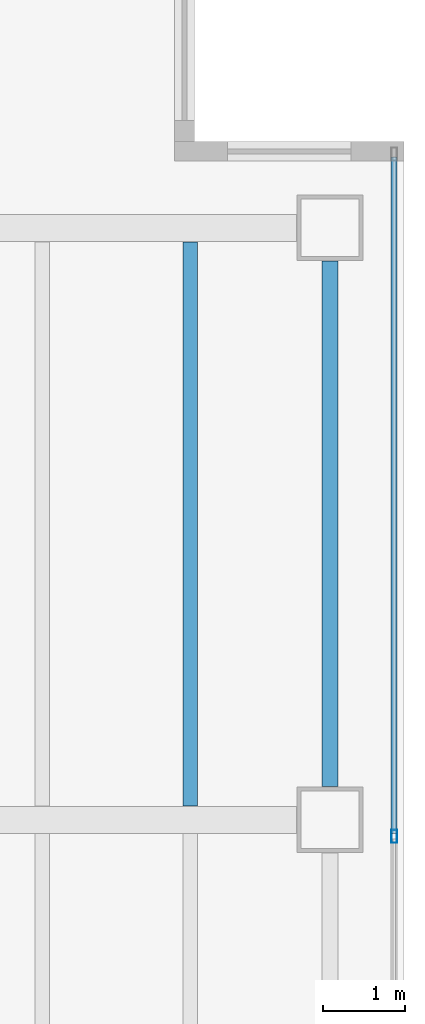
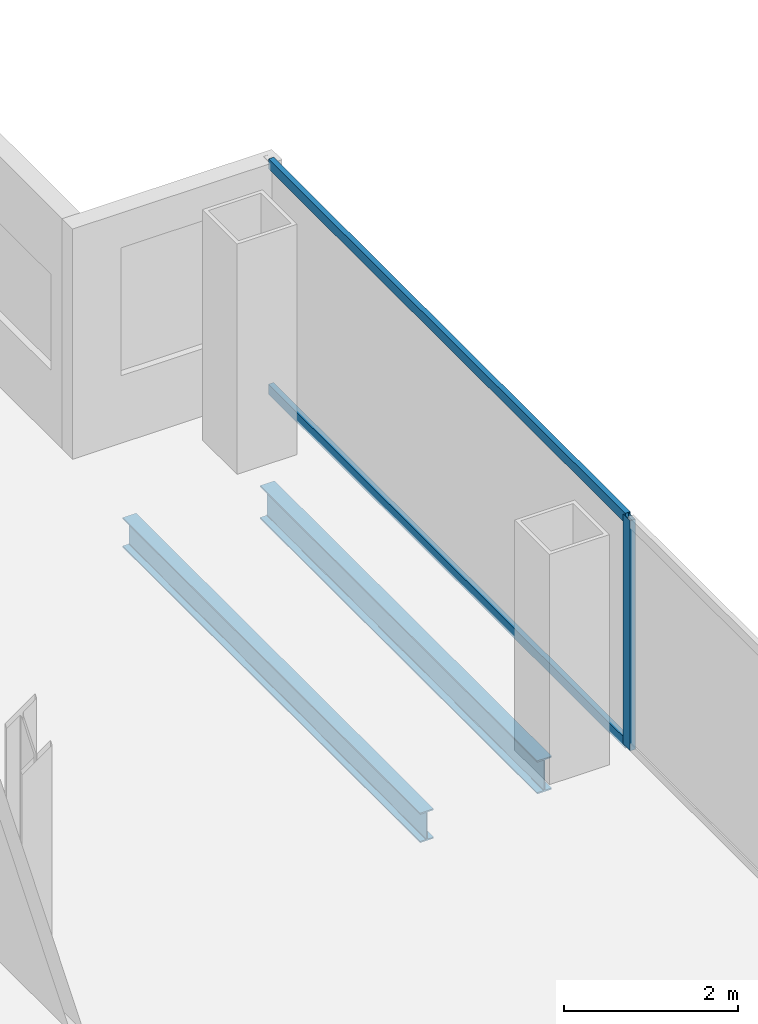
# One storey, part 14 of 23: 3 members, 2 beams, 1 element without a shape of its own.
"""IFC4 building model written with IfcOpenShell, lengths in metres."""

from ifc_helpers import new_model, si_unit, direction, frame, origin, origin_2d, place, context, subcontext, project, spatial, hollow_rectangle, i_section, extrude, material, material_profile, profile_set, type_object, element, aggregate, save


model = new_model("IFC4")

# Units and contexts
model_context = context("Model", 3, precision=1e-05, world=origin(), true_north=direction((0.0, 1.0)))
body_context = subcontext(model_context, "Body", "Model", "MODEL_VIEW")
ifc_project = project(units=[si_unit("LENGTHUNIT", "METRE"), si_unit("AREAUNIT", "SQUARE_METRE"), si_unit("VOLUMEUNIT", "CUBIC_METRE"), si_unit("PLANEANGLEUNIT", "RADIAN"), si_unit("MASSUNIT", "GRAM", prefix="KILO")], contexts=[model_context])

# Site, building, storey
site_placement = place(None, origin())
site = spatial("IfcSite", under=ifc_project, at=site_placement, CompositionType="ELEMENT")
building_placement = place(site_placement, origin())
building = spatial("IfcBuilding", under=site, at=building_placement, Name="Cobrela Telecom Tower", CompositionType="ELEMENT")
storey_placement = place(building_placement, frame((0.0, 0.0, 190.75)))
storey = spatial("IfcBuildingStorey", under=building, at=storey_placement, Name="L48", CompositionType="ELEMENT", Elevation=190.75)

# Beams
ifc_material_1 = material(Name="Steel ASTM A992 Grade 50", Category="steel")
ifc_material_profile_1 = material_profile(ifc_material_1, i_section(OverallWidth=0.179931640625, OverallDepth=0.4169921875, WebThickness=0.010986328125, FlangeThickness=0.01806640625, FilletRadius=0.011962890625, at=origin_2d()), Name="W16X57")
ifc_profile_set_1 = profile_set([ifc_material_profile_1], Name="Steel ASTM A992 Grade 50")
beam_type_1 = type_object("IfcBeamType", Name="BM-JOIST-04", PredefinedType="JOIST", material=ifc_profile_set_1)
beam_1_placement = place(storey_placement, frame((41.39990234375, 14.569091796875, -0.468505859375), z_axis=(0.0, 1.0, 0.0), x_axis=(-1.0, 0.0, 0.0)))
element("IfcBeam", 1, at=beam_1_placement, inside=storey, type_object=beam_type_1, Name="L48 Secondary Composite Floor Beam J30", PredefinedType="JOIST", context=body_context, shape_type="SweptSolid", body=[
    extrude(i_section(OverallWidth=0.179931640625, OverallDepth=0.4169921875, WebThickness=0.010986328125, FlangeThickness=0.01806640625, FilletRadius=0.011962890625, at=origin_2d()), origin(), (0.0, 0.0, 1.0), 6.86181640625),
])
ifc_material_profile_2 = material_profile(ifc_material_1, i_section(OverallWidth=0.193115234375, OverallDepth=0.467041015625, WebThickness=0.011474609375, FlangeThickness=0.01904296875, FilletRadius=0.012939453125, at=origin_2d()), Name="W18X65")
ifc_profile_set_2 = profile_set([ifc_material_profile_2], Name="Steel ASTM A992 Grade 50")
beam_type_2 = type_object("IfcBeamType", Name="BM-SPAND-05", PredefinedType="SPANDREL", material=ifc_profile_set_2)
beam_2_placement = place(storey_placement, frame((43.10009765625, 14.804931640625, -0.493408203125), z_axis=(0.0, 1.0, 0.0), x_axis=(-1.0, 0.0, 0.0)))
element("IfcBeam", 2, at=beam_2_placement, inside=storey, type_object=beam_type_2, Name="L48 Perimeter Spandrel Y43", PredefinedType="SPANDREL", context=body_context, shape_type="SweptSolid", body=[
    extrude(i_section(OverallWidth=0.193115234375, OverallDepth=0.467041015625, WebThickness=0.011474609375, FlangeThickness=0.01904296875, FilletRadius=0.012939453125, at=origin_2d()), origin(), (0.0, 0.0, 1.0), 6.39013671875),
])

# Curtain wall, members
ifc_material_2 = material(Name="Anodized Bronze Aluminium 6063-T6", Category="aluminium")
curtain_wall_type = type_object("IfcCurtainWallType", Name="CW-SYS-OFF-LO", PredefinedType="USERDEFINED", material=ifc_material_2)
curtain_wall_placement = place(storey_placement, origin())
curtain_wall = element("IfcCurtainWall", 3, at=curtain_wall_placement, inside=storey, type_object=curtain_wall_type, Name="L48 Unitised Bronze Curtain Wall 14", ObjectType="UNITISED CURTAIN WALL", PredefinedType="USERDEFINED")
ifc_material_profile_3 = material_profile(ifc_material_2, hollow_rectangle(XDim=0.070068359375, YDim=0.159912109375, WallThickness=0.00390625, at=origin_2d()), Name="ALU 70x160x4")
ifc_profile_set_3 = profile_set([ifc_material_profile_3], Name="Anodized Bronze Aluminium 6063-T6")
member_type_1 = type_object("IfcMemberType", Name="CW-SYS-OFF-LO-MUL", PredefinedType="MULLION", material=ifc_profile_set_3)
member_1_placement = place(storey_placement, frame((43.8798828125, 14.199951171875, 0.0), z_axis=(0.0, 0.0, 1.0), x_axis=(1.0, 0.0, 0.0)))
member_1 = element("IfcMember", 4, at=member_1_placement, type_object=member_type_1, Name="CW-OFF-LO mullion 2", PredefinedType="MULLION", context=body_context, shape_type="SweptSolid", body=[
    extrude(hollow_rectangle(XDim=0.070068359375, YDim=0.159912109375, WallThickness=0.00390625, at=origin_2d()), origin(), (0.0, 0.0, 1.0), 3.239990234375),
])
ifc_material_profile_4 = material_profile(ifc_material_2, hollow_rectangle(XDim=0.070068359375, YDim=0.139892578125, WallThickness=0.00390625, at=origin_2d()), Name="ALU 70x140x4")
ifc_profile_set_4 = profile_set([ifc_material_profile_4], Name="Anodized Bronze Aluminium 6063-T6")
member_type_2 = type_object("IfcMemberType", Name="CW-SYS-OFF-LO-TRN", PredefinedType="USERDEFINED", material=ifc_profile_set_4)
member_2_placement = place(storey_placement, frame((43.8798828125, 22.4599609375, 0.034912109375), z_axis=(0.0, -1.0, 0.0), x_axis=(1.0, 0.0, 0.0)))
member_2 = element("IfcMember", 5, at=member_2_placement, type_object=member_type_2, Name="CW-OFF-LO transom 1.1", ObjectType="TRANSOM", PredefinedType="USERDEFINED", context=body_context, shape_type="SweptSolid", body=[
    extrude(hollow_rectangle(XDim=0.070068359375, YDim=0.139892578125, WallThickness=0.00390625, at=origin_2d()), origin(), (0.0, 0.0, 1.0), 8.224853515625),
])
member_3_placement = place(storey_placement, frame((43.8798828125, 22.4599609375, 3.205078125), z_axis=(0.0, -1.0, 0.0), x_axis=(1.0, 0.0, 0.0)))
member_3 = element("IfcMember", 6, at=member_3_placement, type_object=member_type_2, Name="CW-OFF-LO transom 1.2", ObjectType="TRANSOM", PredefinedType="USERDEFINED", context=body_context, shape_type="SweptSolid", body=[
    extrude(hollow_rectangle(XDim=0.070068359375, YDim=0.139892578125, WallThickness=0.00390625, at=origin_2d()), origin(), (0.0, 0.0, 1.0), 8.224853515625),
])
aggregate(curtain_wall, [member_1, member_2, member_3])

save(model, "model.ifc")
